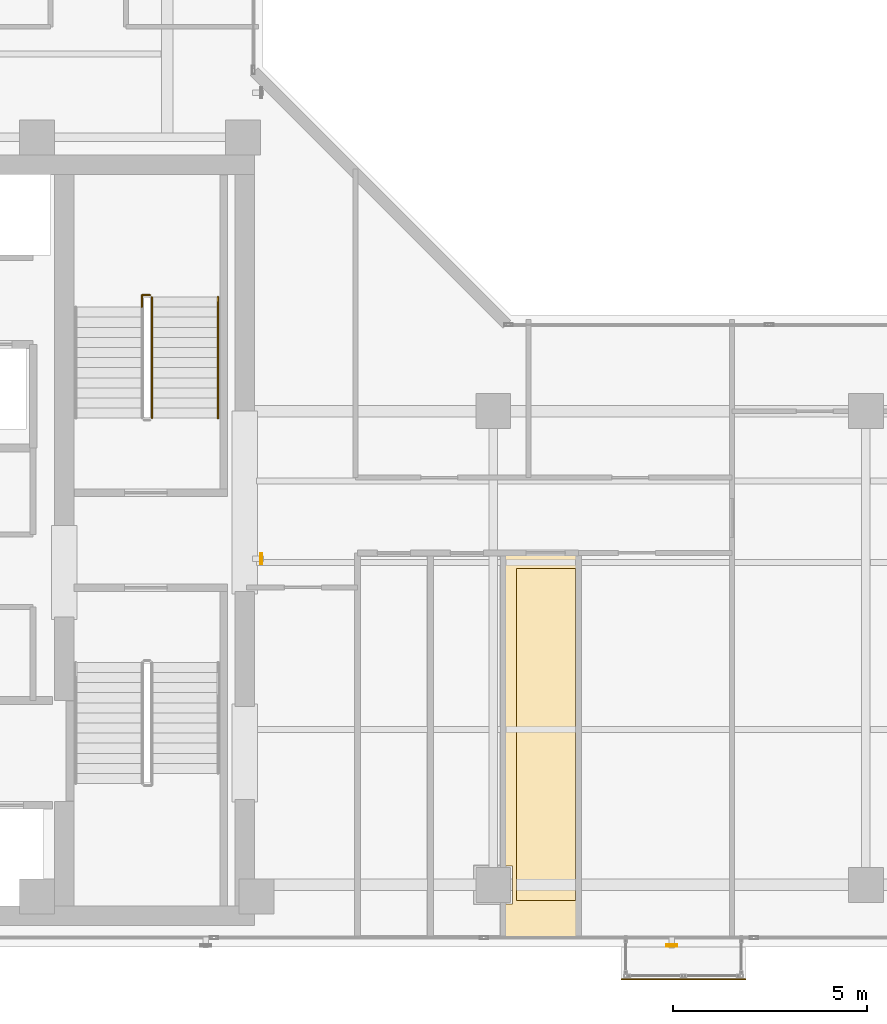
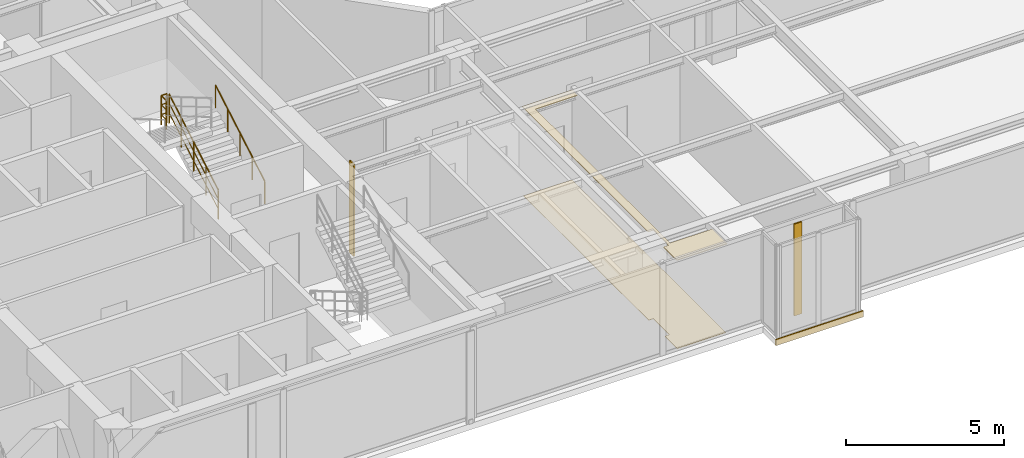
# One storey, part 21 of 22: 3 coverings, 3 railings, 2 shading devices.
"""IFC4 building model written with IfcOpenShell, lengths in metres."""

from ifc_helpers import new_model, si_unit, direction, frame, origin, origin_2d, place, context, subcontext, project, spatial, polyline, rectangle, hollow_rectangle, circle, outline, extrude, material, layer, layer_set, material_profile, profile_set, type_object, element, save


model = new_model("IFC4")

# Units and contexts
model_context = context("Model", 3, precision=1e-05, world=origin(), true_north=direction((0.0, 1.0)))
body_context = subcontext(model_context, "Body", "Model", "MODEL_VIEW")
ifc_project = project(units=[si_unit("LENGTHUNIT", "METRE"), si_unit("AREAUNIT", "SQUARE_METRE"), si_unit("VOLUMEUNIT", "CUBIC_METRE"), si_unit("PLANEANGLEUNIT", "RADIAN"), si_unit("MASSUNIT", "GRAM", prefix="KILO")], contexts=[model_context])

# Site, building, storey
site_placement = place(None, origin())
site = spatial("IfcSite", under=ifc_project, at=site_placement, CompositionType="ELEMENT")
building_placement = place(site_placement, origin())
building = spatial("IfcBuilding", under=site, at=building_placement, Name="Kolvaren Waterfront Exchange", CompositionType="ELEMENT")
storey_placement = place(building_placement, frame((0.0, 0.0, 312.199951171875)))
storey = spatial("IfcBuildingStorey", under=building, at=storey_placement, Name="L80", CompositionType="ELEMENT", Elevation=312.199951171875)

# Coverings
ifc_material_1 = material(Name="Mineral fibre acoustic ceiling tile")
ifc_layer_1 = layer(ifc_material_1, 0.02490234375, Name="Mineral fibre acoustic ceiling tile")
ifc_layer_set_1 = layer_set([ifc_layer_1], Name="Mineral fibre acoustic ceiling tile")
covering_type_1 = type_object("IfcCoveringType", Name="ARC-CEIL-ACOUSTIC-25", PredefinedType="CEILING", material=ifc_layer_set_1)
covering_1_placement = place(storey_placement, frame((0.0, 0.0, 3.445068359375)))
element("IfcCovering", 1, at=covering_1_placement, inside=storey, type_object=covering_type_1, Name="L80 acoustic suspended ceiling 3", PredefinedType="CEILING", context=body_context, shape_type="SweptSolid", body=[
    extrude(outline(polyline([(27.5048828125, 5.68994140625), (27.68994140625, 5.68994140625), (27.68994140625, 4.7099609375), (27.5048828125, 4.7099609375), (27.5048828125, 3.864990234375), (29.35498046875, 3.864990234375), (29.35498046875, 4.800048828125), (27.800048828125, 4.800048828125), (27.800048828125, 13.35009765625), (29.35498046875, 13.35009765625), (29.35498046875, 13.695068359375), (27.5048828125, 13.695068359375), (27.5048828125, 5.68994140625)])), origin(), (0.0, 0.0, 1.0), 0.02490234375),
])
ifc_material_2 = material(Name="Anodised bronze fascia aluminium", Category="aluminium")
ifc_layer_2 = layer(ifc_material_2, 0.034912109375, Name="Anodised bronze fascia aluminium")
ifc_layer_set_2 = layer_set([ifc_layer_2], Name="Anodised bronze fascia aluminium")
covering_type_2 = type_object("IfcCoveringType", Name="ARC-CLAD-BRONZE-35", PredefinedType="CLADDING", material=ifc_layer_set_2)
covering_2_placement = place(storey_placement, frame((32.10009765625, 2.77001953125, -0.2197265625), z_axis=(0.0, 0.0, 1.0), x_axis=(1.0, 0.0, 0.0)))
element("IfcCovering", 2, at=covering_2_placement, inside=storey, type_object=covering_type_2, Name="L80 ribbed anodised bronze bay-box fascia", PredefinedType="CLADDING", context=body_context, shape_type="SweptSolid", body=[
    extrude(rectangle(XDim=3.199951171875, YDim=0.034912109375, at=origin_2d()), origin(), (0.0, 0.0, 1.0), 0.239990234375),
])

# Shading devices
ifc_material_3 = material(Name="Anodised bronze aluminium 6063-T6", Category="aluminium")
ifc_material_profile = material_profile(ifc_material_3, hollow_rectangle(XDim=0.054931640625, YDim=0.280029296875, WallThickness=0.00439453125, at=origin_2d()), Name="BRZ-FIN-280x55x4.5")
ifc_profile_set = profile_set([ifc_material_profile], Name="Anodised bronze aluminium 6063-T6")
shading_device_type = type_object("IfcShadingDeviceType", Name="ARC-FIN-280", PredefinedType="USERDEFINED", material=ifc_profile_set)
for number, where, z_axis, x_axis, name in (
    (3, (31.800048828125, 3.639892578125, 0.0), (0.0, 0.0, 1.0), (0.0, -1.0, 0.0), "L80 anodised bronze solar shading fin FIN-L80-S3"),
    (4, (21.22314453125, 13.60009765625, 0.0), (0.0, 0.0, 1.0), (1.0, 0.0, 0.0), "L80 anodised bronze solar shading fin FIN-L80-E1"),
):
    element("IfcShadingDevice", number, at=place(storey_placement, frame(where, z_axis=z_axis, x_axis=x_axis)), inside=storey, type_object=shading_device_type, Name=name, ObjectType="SOLAR FIN", PredefinedType="USERDEFINED", context=body_context, shape_type="SweptSolid", body=[
        extrude(hollow_rectangle(XDim=0.054931640625, YDim=0.280029296875, WallThickness=0.00439453125, at=origin_2d()), origin(), (0.0, 0.0, 1.0), 3.56005859375),
    ])

# Covering
ifc_material_4 = material(Name="Slip-resistant porcelain tile")
ifc_layer_3 = layer(ifc_material_4, 0.014892578125, Name="Slip-resistant porcelain tile")
ifc_layer_set_3 = layer_set([ifc_layer_3], Name="Slip-resistant porcelain tile")
covering_type_3 = type_object("IfcCoveringType", Name="ARC-FLR-PORC-15", PredefinedType="FLOORING", material=ifc_layer_set_3)
covering_3_placement = place(storey_placement, origin())
element("IfcCovering", 5, at=covering_3_placement, inside=storey, type_object=covering_type_3, Name="L80 floor finish 3", PredefinedType="FLOORING", context=body_context, shape_type="SweptSolid", body=[
    extrude(outline(polyline([(27.5400390625, 4.68994140625), (27.5400390625, 3.89990234375), (29.320068359375, 3.89990234375), (29.320068359375, 13.659912109375), (27.5400390625, 13.659912109375), (27.5400390625, 5.7099609375), (27.7099609375, 5.7099609375), (27.7099609375, 4.68994140625), (27.5400390625, 4.68994140625)])), origin(), (0.0, 0.0, 1.0), 0.01513671875),
])

# Railings
ifc_material_5 = material(Name="Stainless steel 316", Category="steel")
railing_type_1 = type_object("IfcRailingType", Name="ARC-GUARD-STAIR", PredefinedType="GUARDRAIL", material=ifc_material_5)
railing_1_placement = place(storey_placement, frame((18.409912109375, 17.219970703125, 0.152099609375)))
element("IfcRailing", 6, at=railing_1_placement, inside=storey, type_object=railing_type_1, Name="L80 ST2 stair guard 1", PredefinedType="GUARDRAIL", context=body_context, shape_type="SweptSolid", body=[
    extrude(circle(Radius=0.02392578125, at=origin_2d()), frame((0.0, 0.0, 1.1259765625), z_axis=(0.0, 0.86330811405, 0.504677223793), x_axis=(-1.0, 0.0, 0.0)), (0.0, 0.0, 1.0), 3.6142578125),
    extrude(circle(Radius=0.01611328125, at=origin_2d()), frame((0.0, 0.0, 0.390869140625), z_axis=(0.0, 0.86330811405, 0.504677223793), x_axis=(-1.0, 0.0, 0.0)), (0.0, 0.0, 1.0), 3.6142578125),
    extrude(circle(Radius=0.01611328125, at=origin_2d()), frame((0.0, 0.0, 0.7705078125), z_axis=(0.0, 0.86330811405, 0.504677223793), x_axis=(-1.0, 0.0, 0.0)), (0.0, 0.0, 1.0), 3.6142578125),
    extrude(circle(Radius=0.02099609375, at=origin_2d()), origin(), (0.0, 0.0, 1.0), 1.101806640625),
    extrude(circle(Radius=0.02099609375, at=origin_2d()), frame((0.0, 0.780029296875, 0.4560546875)), (0.0, 0.0, 1.0), 1.101806640625),
    extrude(circle(Radius=0.02099609375, at=origin_2d()), frame((0.0, 1.56005859375, 0.912109375)), (0.0, 0.0, 1.0), 1.101806640625),
    extrude(circle(Radius=0.02099609375, at=origin_2d()), frame((0.0, 2.340087890625, 1.367919921875)), (0.0, 0.0, 1.0), 1.101806640625),
    extrude(circle(Radius=0.02099609375, at=origin_2d()), frame((0.0, 3.1201171875, 1.823974609375)), (0.0, 0.0, 1.0), 1.101806640625),
])
railing_2_placement = place(storey_placement, frame((18.360107421875, 20.389892578125, 1.97607421875)))
element("IfcRailing", 7, at=railing_2_placement, inside=storey, type_object=railing_type_1, Name="L80 ST2 stair guard 2", PredefinedType="GUARDRAIL", context=body_context, shape_type="SweptSolid", body=[
    extrude(circle(Radius=0.02392578125, at=origin_2d()), frame((0.0, 0.0, 1.1259765625), z_axis=(-1.0, 0.0, 0.0), x_axis=(0.0, -1.0, 0.0)), (0.0, 0.0, 1.0), 0.210205078125),
    extrude(circle(Radius=0.01611328125, at=origin_2d()), frame((0.0, 0.0, 0.390869140625), z_axis=(-1.0, 0.0, 0.0), x_axis=(0.0, -1.0, 0.0)), (0.0, 0.0, 1.0), 0.210205078125),
    extrude(circle(Radius=0.01611328125, at=origin_2d()), frame((0.0, 0.0, 0.7705078125), z_axis=(-1.0, 0.0, 0.0), x_axis=(0.0, -1.0, 0.0)), (0.0, 0.0, 1.0), 0.210205078125),
    extrude(circle(Radius=0.02392578125, at=origin_2d()), frame((-0.210205078125, 0.0, 1.1259765625), z_axis=(0.0, -1.0, 0.0), x_axis=(1.0, 0.0, 0.0)), (0.0, 0.0, 1.0), 0.309814453125),
    extrude(circle(Radius=0.01611328125, at=origin_2d()), frame((-0.210205078125, 0.0, 0.390869140625), z_axis=(0.0, -1.0, 0.0), x_axis=(1.0, 0.0, 0.0)), (0.0, 0.0, 1.0), 0.309814453125),
    extrude(circle(Radius=0.01611328125, at=origin_2d()), frame((-0.210205078125, 0.0, 0.7705078125), z_axis=(0.0, -1.0, 0.0), x_axis=(1.0, 0.0, 0.0)), (0.0, 0.0, 1.0), 0.309814453125),
    extrude(circle(Radius=0.02099609375, at=origin_2d()), origin(), (0.0, 0.0, 1.0), 1.101806640625),
    extrude(circle(Radius=0.02099609375, at=origin_2d()), frame((-0.210205078125, 0.0, 0.0)), (0.0, 0.0, 1.0), 1.101806640625),
    extrude(circle(Radius=0.02099609375, at=origin_2d()), frame((-0.210205078125, -0.309814453125, 0.0)), (0.0, 0.0, 1.0), 1.101806640625),
])
railing_type_2 = type_object("IfcRailingType", Name="ARC-HANDRAIL-900", PredefinedType="HANDRAIL", material=ifc_material_5)
railing_3_placement = place(storey_placement, frame((20.110107421875, 17.219970703125, 0.152099609375)))
element("IfcRailing", 8, at=railing_3_placement, inside=storey, type_object=railing_type_2, Name="L80 ST2 stair handrail 1", PredefinedType="HANDRAIL", context=body_context, shape_type="SweptSolid", body=[
    extrude(circle(Radius=0.02392578125, at=origin_2d()), frame((0.0, 0.0, 0.8759765625), z_axis=(0.0, 0.86330811405, 0.504677223793), x_axis=(-1.0, 0.0, 0.0)), (0.0, 0.0, 1.0), 3.6142578125),
    extrude(circle(Radius=0.02099609375, at=origin_2d()), origin(), (0.0, 0.0, 1.0), 0.851806640625),
    extrude(circle(Radius=0.02099609375, at=origin_2d()), frame((0.0, 0.780029296875, 0.4560546875)), (0.0, 0.0, 1.0), 0.851806640625),
    extrude(circle(Radius=0.02099609375, at=origin_2d()), frame((0.0, 1.56005859375, 0.912109375)), (0.0, 0.0, 1.0), 0.851806640625),
    extrude(circle(Radius=0.02099609375, at=origin_2d()), frame((0.0, 2.340087890625, 1.367919921875)), (0.0, 0.0, 1.0), 0.851806640625),
    extrude(circle(Radius=0.02099609375, at=origin_2d()), frame((0.0, 3.1201171875, 1.823974609375)), (0.0, 0.0, 1.0), 0.851806640625),
])

save(model, "model.ifc")
